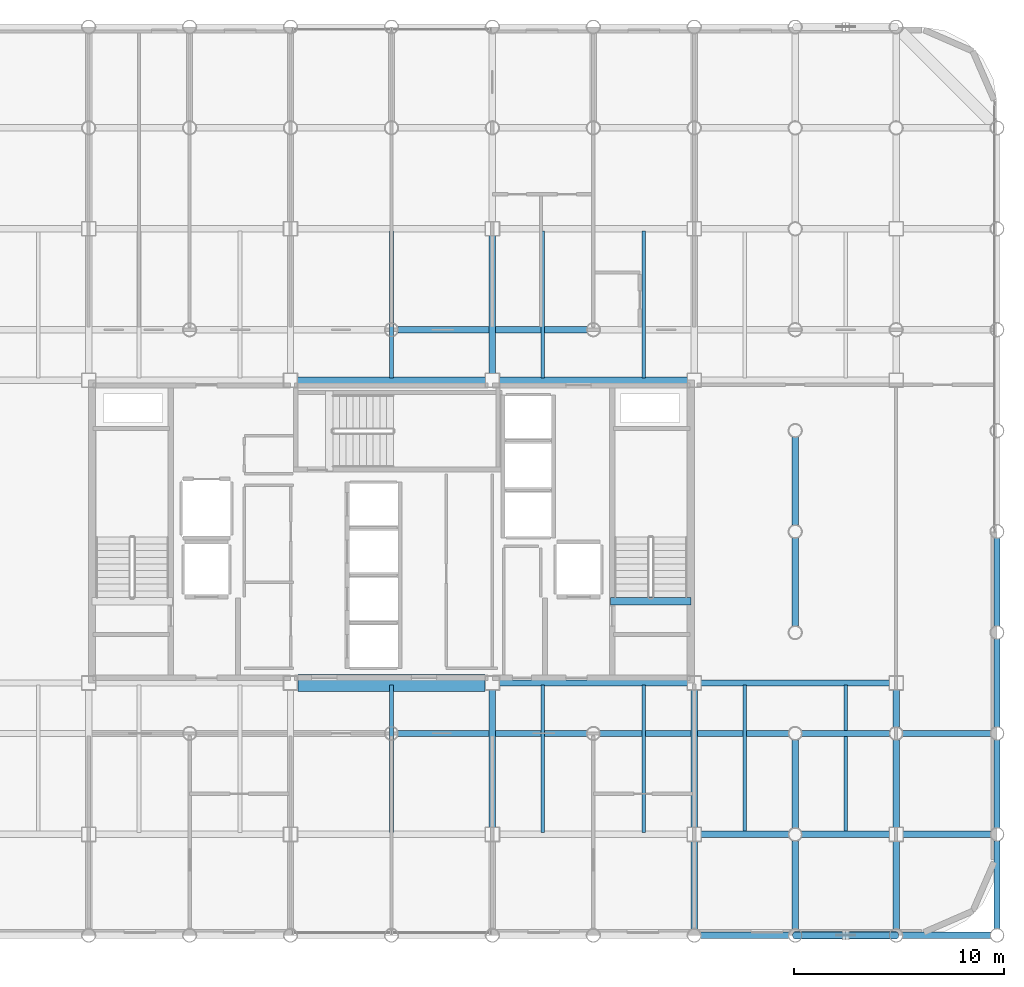
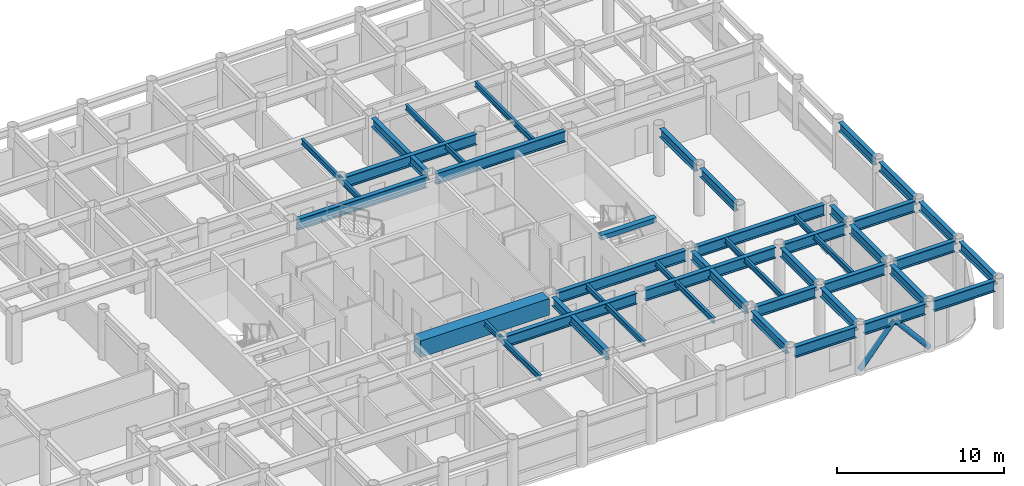
# One storey, part 7 of 20: 40 beams, 2 members.
"""IFC4 building model written with IfcOpenShell, lengths in metres."""

from ifc_helpers import new_model, si_unit, direction, frame, origin, origin_2d, place, context, subcontext, project, spatial, rectangle, hollow_circle, i_section, extrude, material, material_profile, profile_set, type_object, element, save


model = new_model("IFC4")

# Units and contexts
model_context = context("Model", 3, precision=1e-05, world=origin(), true_north=direction((0.0, 1.0)))
body_context = subcontext(model_context, "Body", "Model", "MODEL_VIEW")
ifc_project = project(units=[si_unit("LENGTHUNIT", "METRE"), si_unit("AREAUNIT", "SQUARE_METRE"), si_unit("VOLUMEUNIT", "CUBIC_METRE"), si_unit("PLANEANGLEUNIT", "RADIAN"), si_unit("MASSUNIT", "GRAM", prefix="KILO")], contexts=[model_context])

# Site, building, storey
site_placement = place(None, origin())
site = spatial("IfcSite", under=ifc_project, at=site_placement, CompositionType="ELEMENT")
building_placement = place(site_placement, origin())
building = spatial("IfcBuilding", under=site, at=building_placement, Name="Kallvorn Hotel Tower", CompositionType="ELEMENT")
storey_placement = place(building_placement, frame((0.0, 0.0, 135.89990234375)))
storey = spatial("IfcBuildingStorey", under=building, at=storey_placement, Name="L33", CompositionType="ELEMENT", Elevation=135.89990234375)

# Beams
ifc_material_1 = material(Name="Structural steel S355JR", Category="steel")
ifc_material_profile_1 = material_profile(ifc_material_1, i_section(OverallWidth=0.300048828125, OverallDepth=0.64990234375, WebThickness=0.01611328125, FlangeThickness=0.031005859375, at=origin_2d()), Name="HE 650 B")
ifc_profile_set_1 = profile_set([ifc_material_profile_1], Name="Structural steel S355JR")
beam_type_1 = type_object("IfcBeamType", Name="BM_HE650B", PredefinedType="BEAM", material=ifc_profile_set_1)
for number, where, z_axis, x_axis, name in (
    (1, (4.800048828125, -14.074951171875, 3.195068359375), (0.0, 1.0, 0.0), (-1.0, 0.0, 0.0), "L34 Primary Y-Girder 115"),
    (2, (4.800048828125, 7.52490234375, 3.195068359375), (0.0, 1.0, 0.0), (-1.0, 0.0, 0.0), "L34 Primary Y-Girder 116"),
):
    element("IfcBeam", number, at=place(storey_placement, frame(where, z_axis=z_axis, x_axis=x_axis)), inside=storey, type_object=beam_type_1, Name=name, PredefinedType="BEAM", context=body_context, shape_type="SweptSolid", body=[
        extrude(i_section(OverallWidth=0.300048828125, OverallDepth=0.64990234375, WebThickness=0.01611328125, FlangeThickness=0.031005859375, at=origin_2d()), origin(), (0.0, 0.0, 1.0), 6.550048828125),
    ])
beam_1_placement = place(storey_placement, frame((14.39990234375, -18.89501953125, 3.195068359375), z_axis=(0.0, 1.0, 0.0), x_axis=(-1.0, 0.0, 0.0)))
element("IfcBeam", 3, at=beam_1_placement, inside=storey, type_object=beam_type_1, Name="L34 Primary Y-Girder 122", PredefinedType="BEAM", context=body_context, shape_type="SweptSolid", body=[
    extrude(i_section(OverallWidth=0.300048828125, OverallDepth=0.64990234375, WebThickness=0.01611328125, FlangeThickness=0.031005859375, at=origin_2d()), origin(), (0.0, 0.0, 1.0), 4.169921875),
])
beam_2_placement = place(storey_placement, frame((14.39990234375, -14.074951171875, 3.195068359375), z_axis=(0.0, 1.0, 0.0), x_axis=(-1.0, 0.0, 0.0)))
element("IfcBeam", 4, at=beam_2_placement, inside=storey, type_object=beam_type_1, Name="L34 Primary Y-Girder 123", PredefinedType="BEAM", context=body_context, shape_type="SweptSolid", body=[
    extrude(i_section(OverallWidth=0.300048828125, OverallDepth=0.64990234375, WebThickness=0.01611328125, FlangeThickness=0.031005859375, at=origin_2d()), origin(), (0.0, 0.0, 1.0), 6.550048828125),
])
for number, where, z_axis, x_axis, name in (
    (5, (19.199951171875, -18.89501953125, 3.195068359375), (0.0, 1.0, 0.0), (-1.0, 0.0, 0.0), "L34 Primary Y-Girder 127"),
    (6, (19.199951171875, -14.094970703125, 3.195068359375), (0.0, 1.0, 0.0), (-1.0, 0.0, 0.0), "L34 Primary Y-Girder 128"),
):
    element("IfcBeam", number, at=place(storey_placement, frame(where, z_axis=z_axis, x_axis=x_axis)), inside=storey, type_object=beam_type_1, Name=name, PredefinedType="BEAM", context=body_context, shape_type="SweptSolid", body=[
        extrude(i_section(OverallWidth=0.300048828125, OverallDepth=0.64990234375, WebThickness=0.01611328125, FlangeThickness=0.031005859375, at=origin_2d()), origin(), (0.0, 0.0, 1.0), 4.18994140625),
    ])
for number, where, z_axis, x_axis, name in (
    (7, (19.199951171875, -4.4951171875, 3.195068359375), (0.0, 1.0, 0.0), (-1.0, 0.0, 0.0), "L34 Primary Y-Girder 130"),
    (8, (19.199951171875, 0.304931640625, 3.195068359375), (0.0, 1.0, 0.0), (-1.0, 0.0, 0.0), "L34 Primary Y-Girder 131"),
):
    element("IfcBeam", number, at=place(storey_placement, frame(where, z_axis=z_axis, x_axis=x_axis)), inside=storey, type_object=beam_type_1, Name=name, PredefinedType="BEAM", context=body_context, shape_type="SweptSolid", body=[
        extrude(i_section(OverallWidth=0.300048828125, OverallDepth=0.64990234375, WebThickness=0.01611328125, FlangeThickness=0.031005859375, at=origin_2d()), origin(), (0.0, 0.0, 1.0), 4.190185546875),
    ])
for number, where, z_axis, x_axis, name in (
    (9, (24.0, -18.89501953125, 3.195068359375), (0.0, 1.0, 0.0), (-1.0, 0.0, 0.0), "L34 Primary Y-Girder 136"),
    (10, (24.0, -14.074951171875, 3.195068359375), (0.0, 1.0, 0.0), (-1.0, 0.0, 0.0), "L34 Primary Y-Girder 137"),
):
    element("IfcBeam", number, at=place(storey_placement, frame(where, z_axis=z_axis, x_axis=x_axis)), inside=storey, type_object=beam_type_1, Name=name, PredefinedType="BEAM", context=body_context, shape_type="SweptSolid", body=[
        extrude(i_section(OverallWidth=0.300048828125, OverallDepth=0.64990234375, WebThickness=0.01611328125, FlangeThickness=0.031005859375, at=origin_2d()), origin(), (0.0, 0.0, 1.0), 4.169921875),
    ])
beam_3_placement = place(storey_placement, frame((24.0, -9.294921875, 3.195068359375), z_axis=(0.0, 1.0, 0.0), x_axis=(-1.0, 0.0, 0.0)))
element("IfcBeam", 11, at=beam_3_placement, inside=storey, type_object=beam_type_1, Name="L34 Primary Y-Girder 138", PredefinedType="BEAM", context=body_context, shape_type="SweptSolid", body=[
    extrude(i_section(OverallWidth=0.300048828125, OverallDepth=0.64990234375, WebThickness=0.01611328125, FlangeThickness=0.031005859375, at=origin_2d()), origin(), (0.0, 0.0, 1.0), 1.77001953125),
])
for number, where, z_axis, x_axis, name in (
    (12, (28.800048828125, -18.89501953125, 3.195068359375), (0.0, 1.0, 0.0), (-1.0, 0.0, 0.0), "L34 Primary Y-Girder 143"),
    (13, (28.800048828125, -14.094970703125, 3.195068359375), (0.0, 1.0, 0.0), (-1.0, 0.0, 0.0), "L34 Primary Y-Girder 144"),
    (14, (28.800048828125, -9.294921875, 3.195068359375), (0.0, 1.0, 0.0), (-1.0, 0.0, 0.0), "L34 Primary Y-Girder 145"),
):
    element("IfcBeam", number, at=place(storey_placement, frame(where, z_axis=z_axis, x_axis=x_axis)), inside=storey, type_object=beam_type_1, Name=name, PredefinedType="BEAM", context=body_context, shape_type="SweptSolid", body=[
        extrude(i_section(OverallWidth=0.300048828125, OverallDepth=0.64990234375, WebThickness=0.01611328125, FlangeThickness=0.031005859375, at=origin_2d()), origin(), (0.0, 0.0, 1.0), 4.18994140625),
    ])
beam_4_placement = place(storey_placement, frame((28.800048828125, -4.4951171875, 3.195068359375), z_axis=(0.0, 1.0, 0.0), x_axis=(-1.0, 0.0, 0.0)))
element("IfcBeam", 15, at=beam_4_placement, inside=storey, type_object=beam_type_1, Name="L34 Primary Y-Girder 146", PredefinedType="BEAM", context=body_context, shape_type="SweptSolid", body=[
    extrude(i_section(OverallWidth=0.300048828125, OverallDepth=0.64990234375, WebThickness=0.01611328125, FlangeThickness=0.031005859375, at=origin_2d()), origin(), (0.0, 0.0, 1.0), 4.190185546875),
])
ifc_material_2 = material(Name="Structural steel S355JR", Category="steel")
ifc_material_profile_2 = material_profile(ifc_material_2, i_section(OverallWidth=0.300048828125, OverallDepth=0.800048828125, WebThickness=0.017578125, FlangeThickness=0.032958984375, at=origin_2d()), Name="HE 800 B")
ifc_profile_set_2 = profile_set([ifc_material_profile_2], Name="Structural steel S355JR")
beam_type_2 = type_object("IfcBeamType", Name="BM_HE800B", PredefinedType="BEAM", material=ifc_profile_set_2)
beam_5_placement = place(storey_placement, frame((14.705078125, -19.199951171875, 3.1201171875), z_axis=(1.0, 0.0, 0.0), x_axis=(0.0, 1.0, 0.0)))
element("IfcBeam", 16, at=beam_5_placement, inside=storey, type_object=beam_type_2, Name="L34 Primary X-Girder 10", PredefinedType="BEAM", context=body_context, shape_type="SweptSolid", body=[
    extrude(i_section(OverallWidth=0.300048828125, OverallDepth=0.800048828125, WebThickness=0.017578125, FlangeThickness=0.032958984375, at=origin_2d()), origin(), (0.0, 0.0, 1.0), 4.18994140625),
])
for number, where, z_axis, x_axis, name in (
    (17, (19.5048828125, -19.199951171875, 3.1201171875), (1.0, 0.0, 0.0), (0.0, 1.0, 0.0), "L34 Primary X-Girder 11"),
    (18, (24.304931640625, -19.199951171875, 3.1201171875), (1.0, 0.0, 0.0), (0.0, 1.0, 0.0), "L34 Primary X-Girder 12"),
):
    element("IfcBeam", number, at=place(storey_placement, frame(where, z_axis=z_axis, x_axis=x_axis)), inside=storey, type_object=beam_type_2, Name=name, PredefinedType="BEAM", context=body_context, shape_type="SweptSolid", body=[
        extrude(i_section(OverallWidth=0.300048828125, OverallDepth=0.800048828125, WebThickness=0.017578125, FlangeThickness=0.032958984375, at=origin_2d()), origin(), (0.0, 0.0, 1.0), 4.190185546875),
    ])
beam_6_placement = place(storey_placement, frame((14.72509765625, -14.39990234375, 3.1201171875), z_axis=(1.0, 0.0, 0.0), x_axis=(0.0, 1.0, 0.0)))
element("IfcBeam", 19, at=beam_6_placement, inside=storey, type_object=beam_type_2, Name="L34 Primary X-Girder 20", PredefinedType="BEAM", context=body_context, shape_type="SweptSolid", body=[
    extrude(i_section(OverallWidth=0.300048828125, OverallDepth=0.800048828125, WebThickness=0.017578125, FlangeThickness=0.032958984375, at=origin_2d()), origin(), (0.0, 0.0, 1.0), 4.169921875),
])
for number, where, z_axis, x_axis, name in (
    (20, (19.5048828125, -14.39990234375, 3.1201171875), (1.0, 0.0, 0.0), (0.0, 1.0, 0.0), "L34 Primary X-Girder 21"),
    (21, (24.324951171875, -14.39990234375, 3.1201171875), (1.0, 0.0, 0.0), (0.0, 1.0, 0.0), "L34 Primary X-Girder 22"),
):
    element("IfcBeam", number, at=place(storey_placement, frame(where, z_axis=z_axis, x_axis=x_axis)), inside=storey, type_object=beam_type_2, Name=name, PredefinedType="BEAM", context=body_context, shape_type="SweptSolid", body=[
        extrude(i_section(OverallWidth=0.300048828125, OverallDepth=0.800048828125, WebThickness=0.017578125, FlangeThickness=0.032958984375, at=origin_2d()), origin(), (0.0, 0.0, 1.0), 4.170166015625),
    ])
for number, where, z_axis, x_axis, name in (
    (22, (0.304931640625, -9.60009765625, 3.1201171875), (1.0, 0.0, 0.0), (0.0, 1.0, 0.0), "L34 Primary X-Girder 28"),
    (23, (9.905029296875, -9.60009765625, 3.1201171875), (1.0, 0.0, 0.0), (0.0, 1.0, 0.0), "L34 Primary X-Girder 29"),
):
    element("IfcBeam", number, at=place(storey_placement, frame(where, z_axis=z_axis, x_axis=x_axis)), inside=storey, type_object=beam_type_2, Name=name, PredefinedType="BEAM", context=body_context, shape_type="SweptSolid", body=[
        extrude(i_section(OverallWidth=0.300048828125, OverallDepth=0.800048828125, WebThickness=0.017578125, FlangeThickness=0.032958984375, at=origin_2d()), origin(), (0.0, 0.0, 1.0), 8.989990234375),
    ])
for number, where, z_axis, x_axis, name in (
    (24, (19.5048828125, -9.60009765625, 3.1201171875), (1.0, 0.0, 0.0), (0.0, 1.0, 0.0), "L34 Primary X-Girder 30"),
    (25, (24.304931640625, -9.60009765625, 3.1201171875), (1.0, 0.0, 0.0), (0.0, 1.0, 0.0), "L34 Primary X-Girder 31"),
):
    element("IfcBeam", number, at=place(storey_placement, frame(where, z_axis=z_axis, x_axis=x_axis)), inside=storey, type_object=beam_type_2, Name=name, PredefinedType="BEAM", context=body_context, shape_type="SweptSolid", body=[
        extrude(i_section(OverallWidth=0.300048828125, OverallDepth=0.800048828125, WebThickness=0.017578125, FlangeThickness=0.032958984375, at=origin_2d()), origin(), (0.0, 0.0, 1.0), 4.190185546875),
    ])
for number, where, z_axis, x_axis, name in (
    (26, (5.125, -7.199951171875, 3.1201171875), (1.0, 0.0, 0.0), (0.0, 1.0, 0.0), "L34 Primary X-Girder 34"),
    (27, (14.72509765625, -7.199951171875, 3.1201171875), (1.0, 0.0, 0.0), (0.0, 1.0, 0.0), "L34 Primary X-Girder 35"),
):
    element("IfcBeam", number, at=place(storey_placement, frame(where, z_axis=z_axis, x_axis=x_axis)), inside=storey, type_object=beam_type_2, Name=name, PredefinedType="BEAM", context=body_context, shape_type="SweptSolid", body=[
        extrude(i_section(OverallWidth=0.300048828125, OverallDepth=0.800048828125, WebThickness=0.017578125, FlangeThickness=0.032958984375, at=origin_2d()), origin(), (0.0, 0.0, 1.0), 8.949951171875),
    ])
beam_7_placement = place(storey_placement, frame((-4.47509765625, 7.199951171875, 3.1201171875), z_axis=(1.0, 0.0, 0.0), x_axis=(0.0, 1.0, 0.0)))
element("IfcBeam", 28, at=beam_7_placement, inside=storey, type_object=beam_type_2, Name="L34 Primary X-Girder 38", PredefinedType="BEAM", context=body_context, shape_type="SweptSolid", body=[
    extrude(i_section(OverallWidth=0.300048828125, OverallDepth=0.800048828125, WebThickness=0.017578125, FlangeThickness=0.032958984375, at=origin_2d()), origin(), (0.0, 0.0, 1.0), 8.9501953125),
])
beam_8_placement = place(storey_placement, frame((5.125, 7.199951171875, 3.1201171875), z_axis=(1.0, 0.0, 0.0), x_axis=(0.0, 1.0, 0.0)))
element("IfcBeam", 29, at=beam_8_placement, inside=storey, type_object=beam_type_2, Name="L34 Primary X-Girder 39", PredefinedType="BEAM", context=body_context, shape_type="SweptSolid", body=[
    extrude(i_section(OverallWidth=0.300048828125, OverallDepth=0.800048828125, WebThickness=0.017578125, FlangeThickness=0.032958984375, at=origin_2d()), origin(), (0.0, 0.0, 1.0), 8.949951171875),
])
beam_9_placement = place(storey_placement, frame((0.304931640625, 9.60009765625, 3.1201171875), z_axis=(1.0, 0.0, 0.0), x_axis=(0.0, 1.0, 0.0)))
element("IfcBeam", 30, at=beam_9_placement, inside=storey, type_object=beam_type_2, Name="L34 Primary X-Girder 46", PredefinedType="BEAM", context=body_context, shape_type="SweptSolid", body=[
    extrude(i_section(OverallWidth=0.300048828125, OverallDepth=0.800048828125, WebThickness=0.017578125, FlangeThickness=0.032958984375, at=origin_2d()), origin(), (0.0, 0.0, 1.0), 8.989990234375),
])
ifc_material_3 = material(Name="Structural steel S355JR", Category="steel")
ifc_material_profile_3 = material_profile(ifc_material_3, i_section(OverallWidth=0.179931640625, OverallDepth=0.39990234375, WebThickness=0.008544921875, FlangeThickness=0.013427734375, at=origin_2d()), Name="IPE 400")
ifc_profile_set_3 = profile_set([ifc_material_profile_3], Name="Structural steel S355JR")
beam_type_3 = type_object("IfcBeamType", Name="BM_IPE400", PredefinedType="JOIST", material=ifc_profile_set_3)
for number, where, z_axis, x_axis, name in (
    (31, (0.0, -14.300048828125, 3.320068359375), (0.0, 1.0, 0.0), (-1.0, 0.0, 0.0), "L34 Secondary Composite Joist 200"),
    (32, (0.0, 7.300048828125, 3.320068359375), (0.0, 1.0, 0.0), (-1.0, 0.0, 0.0), "L34 Secondary Composite Joist 201"),
    (33, (7.199951171875, -14.300048828125, 3.320068359375), (0.0, 1.0, 0.0), (-1.0, 0.0, 0.0), "L34 Secondary Composite Joist 202"),
    (34, (7.199951171875, 7.300048828125, 3.320068359375), (0.0, 1.0, 0.0), (-1.0, 0.0, 0.0), "L34 Secondary Composite Joist 203"),
    (35, (12.0, -14.300048828125, 3.320068359375), (0.0, 1.0, 0.0), (-1.0, 0.0, 0.0), "L34 Secondary Composite Joist 204"),
    (36, (12.0, 7.300048828125, 3.320068359375), (0.0, 1.0, 0.0), (-1.0, 0.0, 0.0), "L34 Secondary Composite Joist 205"),
    (37, (16.800048828125, -14.300048828125, 3.320068359375), (0.0, 1.0, 0.0), (-1.0, 0.0, 0.0), "L34 Secondary Composite Joist 206"),
    (38, (21.60009765625, -14.300048828125, 3.320068359375), (0.0, 1.0, 0.0), (-1.0, 0.0, 0.0), "L34 Secondary Composite Joist 208"),
):
    element("IfcBeam", number, at=place(storey_placement, frame(where, z_axis=z_axis, x_axis=x_axis)), inside=storey, type_object=beam_type_3, Name=name, PredefinedType="JOIST", context=body_context, shape_type="SweptSolid", body=[
        extrude(i_section(OverallWidth=0.179931640625, OverallDepth=0.39990234375, WebThickness=0.008544921875, FlangeThickness=0.013427734375, at=origin_2d()), origin(), (0.0, 0.0, 1.0), 7.0),
    ])
ifc_material_4 = material(Name="Concrete C50/60", Category="concrete")
ifc_material_profile_4 = material_profile(ifc_material_4, rectangle(XDim=0.360107421875, YDim=0.340087890625, at=origin_2d()), Name="RC 360x340")
ifc_profile_set_4 = profile_set([ifc_material_profile_4], Name="Concrete C50/60")
beam_type_4 = type_object("IfcBeamType", Name="BM_RC_400x360", PredefinedType="BEAM", material=ifc_profile_set_4)
beam_10_placement = place(storey_placement, frame((14.239990234375, -3.31005859375, 3.35009765625), z_axis=(-1.0, 0.0, 0.0), x_axis=(0.0, -1.0, 0.0)))
element("IfcBeam", 39, at=beam_10_placement, inside=storey, type_object=beam_type_4, Name="L34 Stair ST2 Arrival Trimmer Beam", PredefinedType="BEAM", context=body_context, shape_type="SweptSolid", body=[
    extrude(rectangle(XDim=0.360107421875, YDim=0.340087890625, at=origin_2d()), origin(), (0.0, 0.0, 1.0), 3.820068359375),
])
ifc_material_5 = material(Name="Concrete C50/60", Category="concrete")
ifc_material_profile_5 = material_profile(ifc_material_5, rectangle(XDim=0.800048828125, YDim=1.199951171875, at=origin_2d()), Name="RC 800x1200")
ifc_profile_set_5 = profile_set([ifc_material_profile_5], Name="Concrete C50/60")
beam_type_5 = type_object("IfcBeamType", Name="BM_RC_800x1200", PredefinedType="T_BEAM", material=ifc_profile_set_5)
beam_11_placement = place(storey_placement, frame((-4.449951171875, -7.199951171875, 2.920166015625), z_axis=(1.0, 0.0, 0.0), x_axis=(0.0, 1.0, 0.0)))
element("IfcBeam", 40, at=beam_11_placement, inside=storey, type_object=beam_type_5, Name="L33 Core Coupling Beam South", PredefinedType="T_BEAM", context=body_context, shape_type="SweptSolid", body=[
    extrude(rectangle(XDim=0.800048828125, YDim=1.199951171875, at=origin_2d()), origin(), (0.0, 0.0, 1.0), 8.89990234375),
])

# Members
ifc_material_6 = material(Name="Structural steel S355J2H", Category="steel")
ifc_material_profile_6 = material_profile(ifc_material_6, hollow_circle(Radius=0.177734375, WallThickness=0.01416015625, at=origin_2d()), Name="CHS 355.6x14.2")
ifc_profile_set_6 = profile_set([ifc_material_profile_6], Name="Structural steel S355J2H")
member_type = type_object("IfcMemberType", Name="MBR_EXO_CHS355", PredefinedType="BRACE", material=ifc_profile_set_6)
for number, where, z_axis, x_axis, name in (
    (41, (19.212890625, -19.199951171875, 0.1953125), (0.646800487591, 0.0, 0.762659248453), (0.0, 1.0, 0.0), "L33 Exoskeleton K-Brace S2A"),
    (42, (23.987060546875, -19.199951171875, 0.1953125), (-0.646800487591, 0.0, 0.762659248453), (0.0, -1.0, 0.0), "L33 Exoskeleton K-Brace S2B"),
):
    element("IfcMember", number, at=place(storey_placement, frame(where, z_axis=z_axis, x_axis=x_axis)), inside=storey, type_object=member_type, Name=name, PredefinedType="BRACE", context=body_context, shape_type="SweptSolid", body=[
        extrude(hollow_circle(Radius=0.177734375, WallThickness=0.01416015625, at=origin_2d()), origin(), (0.0, 0.0, 1.0), 3.6708984375),
    ])

save(model, "model.ifc")
